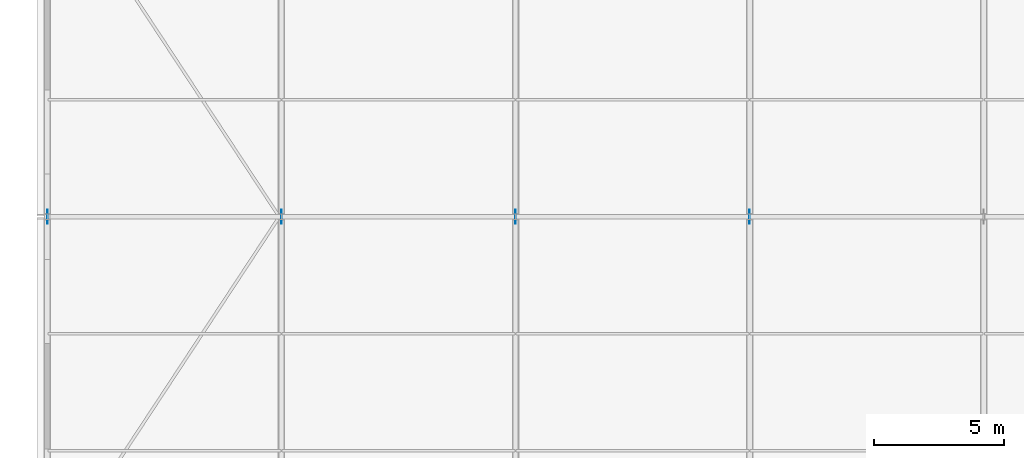
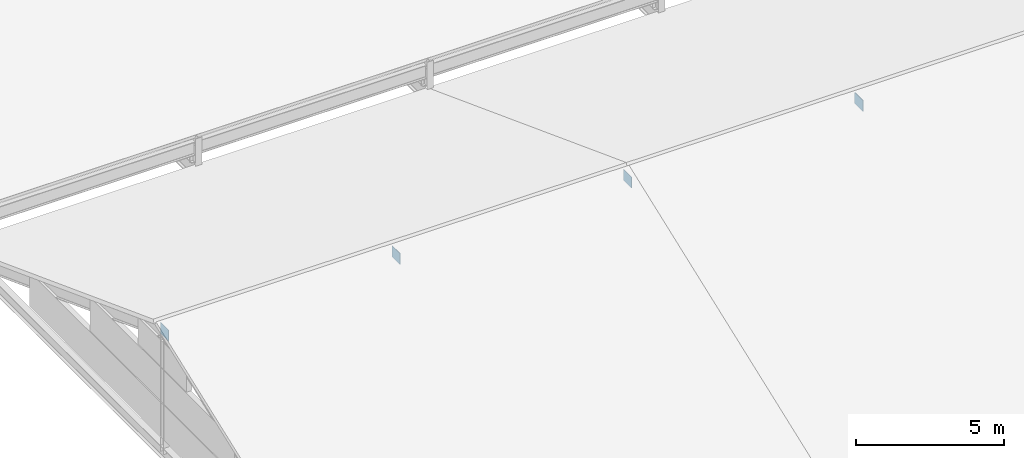
# One storey, part 119 of 163: 4 plates.
"""IFC4 building model written with IfcOpenShell, lengths in metres."""

from ifc_helpers import new_model, si_unit, direction, frame, origin, origin_2d, place, context, subcontext, project, spatial, rectangle, extrude, material, layer, layer_set, type_object, element, save


model = new_model("IFC4")

# Units and contexts
model_context = context("Model", 3, precision=1e-05, world=origin(), true_north=direction((0.0, 1.0)))
body_context = subcontext(model_context, "Body", "Model", "MODEL_VIEW")
ifc_project = project(units=[si_unit("LENGTHUNIT", "METRE"), si_unit("AREAUNIT", "SQUARE_METRE"), si_unit("VOLUMEUNIT", "CUBIC_METRE"), si_unit("PLANEANGLEUNIT", "RADIAN"), si_unit("MASSUNIT", "GRAM", prefix="KILO")], contexts=[model_context])

# Site, building, storey
site_placement = place(None, origin())
site = spatial("IfcSite", under=ifc_project, at=site_placement, CompositionType="ELEMENT")
building_placement = place(site_placement, origin())
building = spatial("IfcBuilding", under=site, at=building_placement, Name="Tharagai Park Tramway Depot", CompositionType="ELEMENT")
storey_placement = place(building_placement, frame((0.0, 0.0, 8.39990234375)))
storey = spatial("IfcBuildingStorey", under=building, at=storey_placement, Name="L02", CompositionType="ELEMENT", Elevation=8.39990234375)

# Plates
ifc_material = material(Name="Steel E350", Category="steel")
ifc_layer_1 = layer(ifc_material, 0.02392578125)
ifc_layer_set_1 = layer_set([ifc_layer_1], Name="Steel E350")
plate_type_1 = type_object("IfcPlateType", Name="GP-02", PredefinedType="SHEET", material=ifc_layer_set_1)
for number, where, z_axis, x_axis, name in (
    (1, (9.0, 76.5, 4.22119140625), (0.0, 0.0, 1.0), (1.0, 0.0, 0.0), "V2B Ridge Gusset Plate GP-02"),
    (2, (27.0, 76.5, 4.22119140625), (0.0, 0.0, 1.0), (1.0, 0.0, 0.0), "V2B Ridge Gusset Plate GP-02"),
):
    element("IfcPlate", number, at=place(storey_placement, frame(where, z_axis=z_axis, x_axis=x_axis)), inside=storey, type_object=plate_type_1, Name=name, PredefinedType="SHEET", context=body_context, shape_type="SweptSolid", body=[
        extrude(rectangle(XDim=0.02392578125, YDim=0.550048828125, at=origin_2d()), origin(), (0.0, 0.0, 1.0), 0.449951171875),
    ])
ifc_layer_2 = layer(ifc_material, 0.01611328125)
ifc_layer_set_2 = layer_set([ifc_layer_2], Name="Steel E350")
plate_type_2 = type_object("IfcPlateType", Name="GP-03", PredefinedType="SHEET", material=ifc_layer_set_2)
for number, where, z_axis, x_axis, name in (
    (3, (0.0, 76.5, 4.22119140625), (0.0, 0.0, 1.0), (1.0, 0.0, 0.0), "V2B Ridge Gusset Plate GP-03"),
    (4, (18.0, 76.5, 4.22119140625), (0.0, 0.0, 1.0), (1.0, 0.0, 0.0), "V2B Ridge Gusset Plate GP-03"),
):
    element("IfcPlate", number, at=place(storey_placement, frame(where, z_axis=z_axis, x_axis=x_axis)), inside=storey, type_object=plate_type_2, Name=name, PredefinedType="SHEET", context=body_context, shape_type="SweptSolid", body=[
        extrude(rectangle(XDim=0.01611328125, YDim=0.550048828125, at=origin_2d()), origin(), (0.0, 0.0, 1.0), 0.449951171875),
    ])

save(model, "model.ifc")
